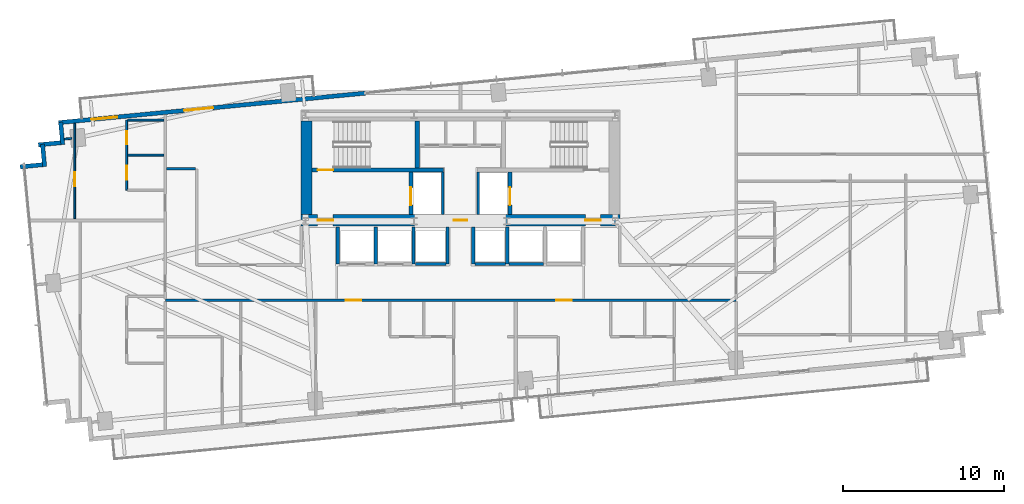
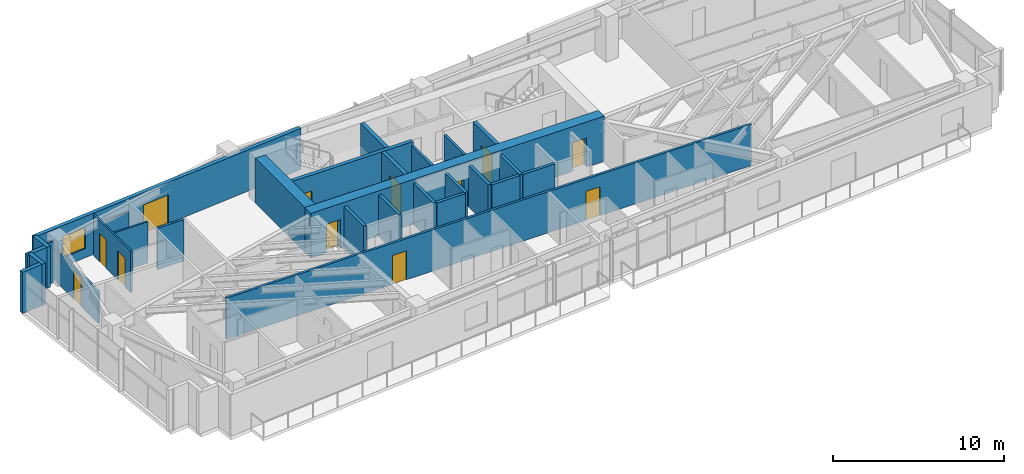
# One storey, part 22 of 27: 29 walls, 12 doors, 1 window, 13 openings.
"""IFC4 building model written with IfcOpenShell, lengths in metres."""

from ifc_helpers import new_model, si_unit, direction, frame, frame_2d, origin, place, context, subcontext, project, spatial, rectangle, extrude, source, transform, mapped, material, layer, layer_set, type_object, type_shapes, element, fill, save


model = new_model("IFC4")

# Units and contexts
model_context = context("Model", 3, precision=1e-05, world=origin(), true_north=direction((0.0, 1.0)))
body_context = subcontext(model_context, "Body", "Model", "MODEL_VIEW")
ifc_project = project(units=[si_unit("LENGTHUNIT", "METRE"), si_unit("AREAUNIT", "SQUARE_METRE"), si_unit("VOLUMEUNIT", "CUBIC_METRE"), si_unit("PLANEANGLEUNIT", "RADIAN"), si_unit("MASSUNIT", "GRAM", prefix="KILO")], contexts=[model_context])

# Site, building, storey
site_placement = place(None, origin())
site = spatial("IfcSite", under=ifc_project, at=site_placement, CompositionType="ELEMENT")
building_placement = place(site_placement, origin())
building = spatial("IfcBuilding", under=site, at=building_placement, Name="Astriad Promenade Condominiums", CompositionType="ELEMENT")
storey_placement = place(building_placement, frame((0.0, 0.0, 84.199951171875)))
storey = spatial("IfcBuildingStorey", under=building, at=storey_placement, Name="L23", CompositionType="ELEMENT", Elevation=84.199951171875)

# Wall, openings, doors
ifc_material_1 = material(Name="Concrete C60/75", Category="concrete")
ifc_layer_1 = layer(ifc_material_1, 0.699951171875)
ifc_layer_set_1 = layer_set([ifc_layer_1], Name="Concrete C60/75")
wall_type_1 = type_object("IfcWallType", Name="CW-SHEAR-700", PredefinedType="SHEAR", material=ifc_layer_set_1)
wall_1_placement = place(storey_placement, frame((26.10009765625, 17.449951171875, 0.0), z_axis=(0.0, 0.0, 1.0), x_axis=(1.0, 0.0, 0.0)))
wall_1 = element("IfcWall", 1, at=wall_1_placement, inside=storey, type_object=wall_type_1, Name="CW-CORE-S-L23", PredefinedType="SHEAR", context=body_context, shape_type="SweptSolid", body=[
    extrude(rectangle(XDim=19.7998046875, YDim=0.699951171875, at=frame_2d((9.89990234375, 0.0))), origin(), (0.0, 0.0, 1.0), 3.199951171875),
])
opening_1_placement = place(wall_1_placement, frame((1.050048828125, 0.0, 0.0)))
opening_1 = element("IfcOpeningElement", 2, at=opening_1_placement, cuts=wall_1, Name="Opening FD90-ST-095", PredefinedType="OPENING", context=body_context, shape_type="SweptSolid", body=[
    extrude(rectangle(XDim=0.949951171875, YDim=2.06005859375, at=frame_2d((0.47509765625, 1.030029296875))), frame((0.0, 0.35986328125, 0.0), z_axis=(0.0, -1.0, 0.0), x_axis=(1.0, 0.0, 0.0)), (0.0, 0.0, 1.0), 0.719970703125),
])
opening_2_placement = place(wall_1_placement, frame((9.47998046875, 0.0, 0.0)))
opening_2 = element("IfcOpeningElement", 3, at=opening_2_placement, cuts=wall_1, Name="Opening FD60-ULOW-085", PredefinedType="OPENING", context=body_context, shape_type="SweptSolid", body=[
    extrude(rectangle(XDim=0.85009765625, YDim=2.0, at=frame_2d((0.425048828125, 1.0))), frame((0.0, 0.35986328125, 0.0), z_axis=(0.0, -1.0, 0.0), x_axis=(1.0, 0.0, 0.0)), (0.0, 0.0, 1.0), 0.719970703125),
])
opening_3_placement = place(wall_1_placement, frame((17.64990234375, 0.0, 0.0)))
opening_3 = element("IfcOpeningElement", 4, at=opening_3_placement, cuts=wall_1, Name="Opening FD90-ST-095", PredefinedType="OPENING", context=body_context, shape_type="SweptSolid", body=[
    extrude(rectangle(XDim=0.949951171875, YDim=2.06005859375, at=frame_2d((0.47509765625, 1.030029296875))), frame((0.0, 0.35986328125, 0.0), z_axis=(0.0, -1.0, 0.0), x_axis=(1.0, 0.0, 0.0)), (0.0, 0.0, 1.0), 0.719970703125),
])
ifc_material_2 = material(Name="Fire-Rated Hollow Metal Stair Door")
door_type_1 = type_object("IfcDoorType", Name="FD90-ST-095", OperationType="NOTDEFINED", PredefinedType="DOOR", material=ifc_material_2)
shared_shape_1 = source(origin(), body_context, "Body", "SweptSolid", [
    extrude(rectangle(XDim=0.949951171875, YDim=2.06005859375, at=frame_2d((0.47509765625, 1.030029296875))), frame((0.0, 0.02490234375, 0.0), z_axis=(0.0, -1.0, 0.0), x_axis=(1.0, 0.0, 0.0)), (0.0, 0.0, 1.0), 0.050048828125),
])
type_shapes(door_type_1, [shared_shape_1])
door_1_placement = place(opening_1_placement, origin())
door_1 = element("IfcDoor", 5, at=door_1_placement, inside=storey, type_object=door_type_1, Name="D-FFW-L23", OperationType="SINGLE_SWING_LEFT", OverallHeight=2.06005859375, OverallWidth=0.949951171875, PredefinedType="DOOR", context=body_context, shape_type="MappedRepresentation", body=[
    mapped(shared_shape_1, transform((0.0, 0.0, 0.0), scale=1.0)),
])
fill(opening_1, door_1)
door_2_placement = place(opening_3_placement, origin())
door_2 = element("IfcDoor", 6, at=door_2_placement, inside=storey, type_object=door_type_1, Name="D-FFE-L23", OperationType="SINGLE_SWING_RIGHT", OverallHeight=2.06005859375, OverallWidth=0.949951171875, PredefinedType="DOOR", context=body_context, shape_type="MappedRepresentation", body=[
    mapped(shared_shape_1, transform((0.0, 0.0, 0.0), scale=1.0)),
])
fill(opening_3, door_2)
ifc_material_3 = material(Name="Solid-Core Low-Headroom Fire Door")
door_type_2 = type_object("IfcDoorType", Name="FD60-ULOW-085", OperationType="NOTDEFINED", PredefinedType="DOOR", material=ifc_material_3)
shared_shape_2 = source(origin(), body_context, "Body", "SweptSolid", [
    extrude(rectangle(XDim=0.85009765625, YDim=2.0, at=frame_2d((0.425048828125, 1.0))), frame((0.0, 0.02490234375, 0.0), z_axis=(0.0, -1.0, 0.0), x_axis=(1.0, 0.0, 0.0)), (0.0, 0.0, 1.0), 0.050048828125),
])
type_shapes(door_type_2, [shared_shape_2])
door_3_placement = place(opening_2_placement, origin())
door_3 = element("IfcDoor", 7, at=door_3_placement, inside=storey, type_object=door_type_2, Name="D-CSL-L23", OperationType="SINGLE_SWING_RIGHT", OverallHeight=2.0, OverallWidth=0.85009765625, PredefinedType="DOOR", context=body_context, shape_type="MappedRepresentation", body=[
    mapped(shared_shape_2, transform((0.0, 0.0, 0.0), scale=1.0)),
])
fill(opening_2, door_3)

# Wall
wall_2_placement = place(storey_placement, frame((26.449951171875, 17.802001953125, 0.0), z_axis=(0.0, 0.0, 1.0), x_axis=(0.0, 1.0, 0.0)))
element("IfcWall", 8, at=wall_2_placement, inside=storey, type_object=wall_type_1, Name="CW-CORE-W-L23", PredefinedType="SHEAR", context=body_context, shape_type="SweptSolid", body=[
    extrude(rectangle(XDim=5.7958984375, YDim=0.699951171875, at=frame_2d((2.89794921875, 0.0))), origin(), (0.0, 0.0, 1.0), 3.199951171875),
])

# Wall, opening, door
ifc_material_4 = material(Name="Concrete C50/60", Category="concrete")
ifc_layer_2 = layer(ifc_material_4, 0.25)
ifc_layer_set_2 = layer_set([ifc_layer_2], Name="Concrete C50/60")
wall_type_2 = type_object("IfcWallType", Name="WALL-CORE-INT-250", PredefinedType="SOLIDWALL", material=ifc_layer_set_2)
wall_3_placement = place(storey_placement, frame((26.802001953125, 20.574951171875, 0.0), z_axis=(0.0, 0.0, 1.0), x_axis=(1.0, 0.0, 0.0)))
wall_3 = element("IfcWall", 9, at=wall_3_placement, inside=storey, type_object=wall_type_2, Name="CW-INT-H1-L23", PredefinedType="SOLIDWALL", context=body_context, shape_type="SweptSolid", body=[
    extrude(rectangle(XDim=8.14794921875, YDim=0.25, at=frame_2d((4.073974609375, 0.0))), origin(), (0.0, 0.0, 1.0), 3.199951171875),
])
opening_4_placement = place(wall_3_placement, frame((0.347900390625, 0.0, 0.0)))
opening_4 = element("IfcOpeningElement", 10, at=opening_4_placement, cuts=wall_3, Name="Opening FD90-ST-095", PredefinedType="OPENING", context=body_context, shape_type="SweptSolid", body=[
    extrude(rectangle(XDim=0.949951171875, YDim=2.06005859375, at=frame_2d((0.47509765625, 1.030029296875))), frame((0.0, 0.135009765625, 0.0), z_axis=(0.0, -1.0, 0.0), x_axis=(1.0, 0.0, 0.0)), (0.0, 0.0, 1.0), 0.27001953125),
])
door_4_placement = place(opening_4_placement, origin())
door_4 = element("IfcDoor", 11, at=door_4_placement, inside=storey, type_object=door_type_1, Name="D-ST1-L23", OperationType="SINGLE_SWING_LEFT", OverallHeight=2.06005859375, OverallWidth=0.949951171875, PredefinedType="DOOR", context=body_context, shape_type="MappedRepresentation", body=[
    mapped(shared_shape_1, transform((0.0, 0.0, 0.0), scale=1.0)),
])
fill(opening_4, door_4)

# Wall
wall_4_placement = place(storey_placement, frame((33.324951171875, 20.701904296875, 0.0), z_axis=(0.0, 0.0, 1.0), x_axis=(0.0, 1.0, 0.0)))
element("IfcWall", 12, at=wall_4_placement, inside=storey, type_object=wall_type_2, Name="CW-ST1-E-L23", PredefinedType="SOLIDWALL", context=body_context, shape_type="SweptSolid", body=[
    extrude(rectangle(XDim=2.89599609375, YDim=0.25, at=frame_2d((1.447998046875, 0.0))), origin(), (0.0, 0.0, 1.0), 3.199951171875),
])

# Wall, opening, door
wall_5_placement = place(storey_placement, frame((32.925048828125, 17.802001953125, 0.0), z_axis=(0.0, 0.0, 1.0), x_axis=(0.0, 1.0, 0.0)))
wall_5 = element("IfcWall", 13, at=wall_5_placement, inside=storey, type_object=wall_type_2, Name="CW-FFL1-W-L23", PredefinedType="SOLIDWALL", context=body_context, shape_type="SweptSolid", body=[
    extrude(rectangle(XDim=2.64599609375, YDim=0.25, at=frame_2d((1.322998046875, 0.0))), origin(), (0.0, 0.0, 1.0), 3.199951171875),
])
opening_5_placement = place(wall_5_placement, frame((0.597900390625, 0.0, 0.0)))
opening_5 = element("IfcOpeningElement", 14, at=opening_5_placement, cuts=wall_5, Name="Opening LD-FFL-1122", PredefinedType="OPENING", context=body_context, shape_type="SweptSolid", body=[
    extrude(rectangle(XDim=1.10009765625, YDim=2.080078125, at=frame_2d((0.550048828125, 1.0400390625))), frame((0.0, 0.135009765625, 0.0), z_axis=(0.0, -1.0, 0.0), x_axis=(1.0, 0.0, 0.0)), (0.0, 0.0, 1.0), 0.27001953125),
])
ifc_material_5 = material(Name="Brushed Stainless Steel Fire Elevator Landing Door", Category="steel")
door_type_3 = type_object("IfcDoorType", Name="LD-FFL-1122", OperationType="NOTDEFINED", PredefinedType="DOOR", material=ifc_material_5)
shared_shape_3 = source(origin(), body_context, "Body", "SweptSolid", [
    extrude(rectangle(XDim=1.10009765625, YDim=2.080078125, at=frame_2d((0.550048828125, 1.0400390625))), frame((0.0, 0.02490234375, 0.0), z_axis=(0.0, -1.0, 0.0), x_axis=(1.0, 0.0, 0.0)), (0.0, 0.0, 1.0), 0.050048828125),
])
type_shapes(door_type_3, [shared_shape_3])
door_5_placement = place(opening_5_placement, origin())
door_5 = element("IfcDoor", 15, at=door_5_placement, inside=storey, type_object=door_type_3, Name="Elevator Landing Door FFL-1 (L23)", OperationType="SLIDING_TO_LEFT", OverallHeight=2.080078125, OverallWidth=1.10009765625, PredefinedType="DOOR", context=body_context, shape_type="MappedRepresentation", body=[
    mapped(shared_shape_3, transform((0.0, 0.0, 0.0), scale=1.0)),
])
fill(opening_5, door_5)

wall_6_placement = place(storey_placement, frame((39.074951171875, 17.802001953125, 0.0), z_axis=(0.0, 0.0, 1.0), x_axis=(0.0, 1.0, 0.0)))
wall_6 = element("IfcWall", 16, at=wall_6_placement, inside=storey, type_object=wall_type_2, Name="CW-FFL2-E-L23", PredefinedType="SOLIDWALL", context=body_context, shape_type="SweptSolid", body=[
    extrude(rectangle(XDim=2.64599609375, YDim=0.25, at=frame_2d((1.322998046875, 0.0))), origin(), (0.0, 0.0, 1.0), 3.199951171875),
])
opening_6_placement = place(wall_6_placement, frame((0.597900390625, 0.0, 0.0)))
opening_6 = element("IfcOpeningElement", 17, at=opening_6_placement, cuts=wall_6, Name="Opening LD-FFL-1122", PredefinedType="OPENING", context=body_context, shape_type="SweptSolid", body=[
    extrude(rectangle(XDim=1.10009765625, YDim=2.080078125, at=frame_2d((0.550048828125, 1.0400390625))), frame((0.0, 0.135009765625, 0.0), z_axis=(0.0, -1.0, 0.0), x_axis=(1.0, 0.0, 0.0)), (0.0, 0.0, 1.0), 0.27001953125),
])
door_6_placement = place(opening_6_placement, origin())
door_6 = element("IfcDoor", 18, at=door_6_placement, inside=storey, type_object=door_type_3, Name="Elevator Landing Door FFL-2 (L23)", OperationType="SLIDING_TO_RIGHT", OverallHeight=2.080078125, OverallWidth=1.10009765625, PredefinedType="DOOR", context=body_context, shape_type="MappedRepresentation", body=[
    mapped(shared_shape_3, transform((0.0, 0.0, 0.0), scale=1.0)),
])
fill(opening_6, door_6)

# Walls
ifc_material_6 = material(Name="Fire-Rated Gypsum Partition")
ifc_layer_3 = layer(ifc_material_6, 0.159912109375)
ifc_layer_set_3 = layer_set([ifc_layer_3], Name="Fire-Rated Gypsum Partition")
wall_type_3 = type_object("IfcWallType", Name="WALL-CORR-160", PredefinedType="PARTITIONING", material=ifc_layer_set_3)
for number, where, z_axis, x_axis, name in (
    (19, (34.89990234375, 17.802001953125, 0.0), (0.0, 0.0, 1.0), (0.0, 1.0, 0.0), "CW-FFL1-E-L23"),
    (20, (37.10009765625, 17.802001953125, 0.0), (0.0, 0.0, 1.0), (0.0, 1.0, 0.0), "CW-FFL2-W-L23"),
):
    element("IfcWall", number, at=place(storey_placement, frame(where, z_axis=z_axis, x_axis=x_axis)), inside=storey, type_object=wall_type_3, Name=name, PredefinedType="PARTITIONING", context=body_context, shape_type="SweptSolid", body=[
        extrude(rectangle(XDim=2.64599609375, YDim=0.159912109375, at=frame_2d((1.322998046875, 0.0))), origin(), (0.0, 0.0, 1.0), 2.93994140625),
    ])

# Wall, openings, doors
wall_7_placement = place(storey_placement, frame((17.699951171875, 12.489990234375, 0.0), z_axis=(0.0, 0.0, 1.0), x_axis=(1.0, 0.0, 0.0)))
wall_7 = element("IfcWall", 21, at=wall_7_placement, inside=storey, type_object=wall_type_3, Name="PT-COR-S-L23", PredefinedType="PARTITIONING", context=body_context, shape_type="SweptSolid", body=[
    extrude(rectangle(XDim=35.400146484375, YDim=0.159912109375, at=frame_2d((17.7001953125, 0.0))), origin(), (0.0, 0.0, 1.0), 2.93994140625),
])
opening_7_placement = place(wall_7_placement, frame((11.18994140625, 0.0, 0.0)))
opening_7 = element("IfcOpeningElement", 22, at=opening_7_placement, cuts=wall_7, Name="Opening FD60-APT-095", PredefinedType="OPENING", context=body_context, shape_type="SweptSolid", body=[
    extrude(rectangle(XDim=0.949951171875, YDim=2.06005859375, at=frame_2d((0.47509765625, 1.030029296875))), frame((0.0, 0.08984375, 0.0), z_axis=(0.0, -1.0, 0.0), x_axis=(1.0, 0.0, 0.0)), (0.0, 0.0, 1.0), 0.179931640625),
])
opening_8_placement = place(wall_7_placement, frame((24.25, 0.0, 0.0)))
opening_8 = element("IfcOpeningElement", 23, at=opening_8_placement, cuts=wall_7, Name="Opening FD60-APT-095", PredefinedType="OPENING", context=body_context, shape_type="SweptSolid", body=[
    extrude(rectangle(XDim=0.949951171875, YDim=2.06005859375, at=frame_2d((0.47509765625, 1.030029296875))), frame((0.0, 0.08984375, 0.0), z_axis=(0.0, -1.0, 0.0), x_axis=(1.0, 0.0, 0.0)), (0.0, 0.0, 1.0), 0.179931640625),
])
ifc_material_7 = material(Name="Solid-Core Acoustic Timber Residence Entry Door", Category="wood")
door_type_4 = type_object("IfcDoorType", Name="FD60-APT-095", OperationType="NOTDEFINED", PredefinedType="DOOR", material=ifc_material_7)
shared_shape_4 = source(origin(), body_context, "Body", "SweptSolid", [
    extrude(rectangle(XDim=0.949951171875, YDim=2.06005859375, at=frame_2d((0.47509765625, 1.030029296875))), frame((0.0, 0.02490234375, 0.0), z_axis=(0.0, -1.0, 0.0), x_axis=(1.0, 0.0, 0.0)), (0.0, 0.0, 1.0), 0.050048828125),
])
type_shapes(door_type_4, [shared_shape_4])
door_7_placement = place(opening_7_placement, origin())
door_7 = element("IfcDoor", 24, at=door_7_placement, inside=storey, type_object=door_type_4, Name="D-ENT-L23-S1", OperationType="SINGLE_SWING_LEFT", OverallHeight=2.06005859375, OverallWidth=0.949951171875, PredefinedType="DOOR", context=body_context, shape_type="MappedRepresentation", body=[
    mapped(shared_shape_4, transform((0.0, 0.0, 0.0), scale=1.0)),
])
fill(opening_7, door_7)
door_8_placement = place(opening_8_placement, origin())
door_8 = element("IfcDoor", 25, at=door_8_placement, inside=storey, type_object=door_type_4, Name="D-ENT-L23-S2", OperationType="SINGLE_SWING_RIGHT", OverallHeight=2.06005859375, OverallWidth=0.949951171875, PredefinedType="DOOR", context=body_context, shape_type="MappedRepresentation", body=[
    mapped(shared_shape_4, transform((0.0, 0.0, 0.0), scale=1.0)),
])
fill(opening_8, door_8)

# Walls
wall_8_placement = place(storey_placement, frame((17.781982421875, 20.64990234375, 0.0), z_axis=(0.0, 0.0, 1.0), x_axis=(1.0, 0.0, 0.0)))
element("IfcWall", 26, at=wall_8_placement, inside=storey, type_object=wall_type_3, Name="PT-WALC-N-L23", PredefinedType="PARTITIONING", context=body_context, shape_type="SweptSolid", body=[
    extrude(rectangle(XDim=1.7861328125, YDim=0.159912109375, at=frame_2d((0.89306640625, 0.0))), origin(), (0.0, 0.0, 1.0), 2.93994140625),
])
ifc_material_8 = material(Name="Precast concrete C50/60", Category="concrete")
ifc_layer_4 = layer(ifc_material_8, 0.260009765625)
ifc_layer_set_4 = layer_set([ifc_layer_4], Name="Precast concrete C50/60")
wall_type_4 = type_object("IfcWallType", Name="WALL-EXT-TWR-260", PredefinedType="STANDARD", material=ifc_layer_set_4)
for number, where, z_axis, x_axis, name in (
    (27, (8.701416015625, 20.767333984375, 0.0), (0.0, 0.0, 1.0), (0.995391056452, 0.09589913835, 0.0), "W-SER-L23-04"),
    (28, (10.216796875, 20.78271484375, 0.0), (0.0, 0.0, 1.0), (-0.095725744959, 0.99540774648, 0.0), "W-SER-L23-05"),
):
    element("IfcWall", number, at=place(storey_placement, frame(where, z_axis=z_axis, x_axis=x_axis)), inside=storey, type_object=wall_type_4, Name=name, PredefinedType="STANDARD", context=body_context, shape_type="SweptSolid", body=[
        extrude(rectangle(XDim=1.39501953125, YDim=0.260009765625, at=frame_2d((0.697509765625, 0.0))), origin(), (0.0, 0.0, 1.0), 2.93994140625),
    ])
wall_9_placement = place(storey_placement, frame((9.825927734375, 22.13134765625, 0.0), z_axis=(0.0, 0.0, 1.0), x_axis=(0.995389446633, 0.095915846097, 0.0)))
element("IfcWall", 29, at=wall_9_placement, inside=storey, type_object=wall_type_4, Name="W-SER-L23-06", PredefinedType="STANDARD", context=body_context, shape_type="SweptSolid", body=[
    extrude(rectangle(XDim=1.394775390625, YDim=0.260009765625, at=frame_2d((0.697265625, 0.0))), origin(), (0.0, 0.0, 1.0), 2.93994140625),
])
wall_10_placement = place(storey_placement, frame((11.34130859375, 22.146728515625, 0.0), z_axis=(0.0, 0.0, 1.0), x_axis=(-0.09589913835, 0.995391056452, 0.0)))
element("IfcWall", 30, at=wall_10_placement, inside=storey, type_object=wall_type_4, Name="W-SER-L23-07", PredefinedType="STANDARD", context=body_context, shape_type="SweptSolid", body=[
    extrude(rectangle(XDim=1.39501953125, YDim=0.260009765625, at=frame_2d((0.697509765625, 0.0))), origin(), (0.0, 0.0, 1.0), 2.93994140625),
])

# Wall, openings, door, window
wall_11_placement = place(storey_placement, frame((11.07958984375, 23.508056640625, 0.0), z_axis=(0.0, 0.0, 1.0), x_axis=(0.995396638587, 0.095841180552, 0.0)))
wall_11 = element("IfcWall", 31, at=wall_11_placement, inside=storey, type_object=wall_type_4, Name="W-EXT-L23-N1", PredefinedType="STANDARD", context=body_context, shape_type="SweptSolid", body=[
    extrude(rectangle(XDim=19.110107421875, YDim=0.260009765625, at=frame_2d((9.55517578125, 0.0))), origin(), (0.0, 0.0, 1.0), 2.93994140625),
])
opening_9_placement = place(wall_11_placement, frame((7.823974609375, 0.0, 0.0)))
opening_9 = element("IfcOpeningElement", 32, at=opening_9_placement, cuts=wall_11, Name="Opening BD-1822-SLD", PredefinedType="OPENING", context=body_context, shape_type="SweptSolid", body=[
    extrude(rectangle(XDim=1.800048828125, YDim=2.06005859375, at=frame_2d((0.89990234375, 1.030029296875))), frame((0.0, 0.139892578125, 0.0), z_axis=(0.0, -1.0, 0.0), x_axis=(1.0, 0.0, 0.0)), (0.0, 0.0, 1.0), 0.280029296875),
])
opening_10_placement = place(wall_11_placement, frame((2.050048828125, 0.0, 0.64990234375)))
opening_10 = element("IfcOpeningElement", 33, at=opening_10_placement, cuts=wall_11, Name="Opening WIN-TWR-1620", PredefinedType="OPENING", context=body_context, shape_type="SweptSolid", body=[
    extrude(rectangle(XDim=1.60009765625, YDim=1.5, at=frame_2d((0.800048828125, 0.75))), frame((0.0, 0.139892578125, 0.0), z_axis=(0.0, -1.0, 0.0), x_axis=(1.0, 0.0, 0.0)), (0.0, 0.0, 1.0), 0.280029296875),
])
ifc_material_9 = material(Name="Thermally Broken Aluminium Sliding Balcony Door", Category="aluminium")
door_type_5 = type_object("IfcDoorType", Name="BD-1822-SLD", OperationType="NOTDEFINED", PredefinedType="DOOR", material=ifc_material_9)
shared_shape_5 = source(origin(), body_context, "Body", "SweptSolid", [
    extrude(rectangle(XDim=1.800048828125, YDim=2.06005859375, at=frame_2d((0.89990234375, 1.030029296875))), frame((0.0, 0.02490234375, 0.0), z_axis=(0.0, -1.0, 0.0), x_axis=(1.0, 0.0, 0.0)), (0.0, 0.0, 1.0), 0.050048828125),
])
type_shapes(door_type_5, [shared_shape_5])
door_9_placement = place(opening_9_placement, origin())
door_9 = element("IfcDoor", 34, at=door_9_placement, inside=storey, type_object=door_type_5, Name="BD-L23-NW", OperationType="SLIDING_TO_LEFT", OverallHeight=2.06005859375, OverallWidth=1.800048828125, PredefinedType="DOOR", context=body_context, shape_type="MappedRepresentation", body=[
    mapped(shared_shape_5, transform((0.0, 0.0, 0.0), scale=1.0)),
])
fill(opening_9, door_9)
ifc_material_10 = material(Name="Dark Tinted Triple-Glazed Aluminium Window", Category="aluminium")
window_type = type_object("IfcWindowType", Name="WIN-TWR-1620", PartitioningType="SINGLE_PANEL", PredefinedType="WINDOW", material=ifc_material_10)
shared_shape_6 = source(origin(), body_context, "Body", "SweptSolid", [
    extrude(rectangle(XDim=1.60009765625, YDim=1.5, at=frame_2d((0.800048828125, 0.75))), frame((0.0, 0.030029296875, 0.0), z_axis=(0.0, -1.0, 0.0), x_axis=(1.0, 0.0, 0.0)), (0.0, 0.0, 1.0), 0.06005859375),
])
type_shapes(window_type, [shared_shape_6])
window_placement = place(opening_10_placement, origin())
window = element("IfcWindow", 35, at=window_placement, inside=storey, type_object=window_type, Name="WIN-L23-NW", OverallHeight=1.5, OverallWidth=1.60009765625, PartitioningType="SINGLE_PANEL", PredefinedType="WINDOW", context=body_context, shape_type="MappedRepresentation", body=[
    mapped(shared_shape_6, transform((0.0, 0.0, 0.0), scale=1.0)),
])
fill(opening_10, window)

# Wall, openings, doors
ifc_material_11 = material(Name="Acoustic Metal-Stud Gypsum Partition")
ifc_layer_5 = layer(ifc_material_11, 0.1201171875)
ifc_layer_set_5 = layer_set([ifc_layer_5], Name="Acoustic Metal-Stud Gypsum Partition")
wall_type_5 = type_object("IfcWallType", Name="WALL-PART-120", PredefinedType="PARTITIONING", material=ifc_layer_set_5)
wall_12_placement = place(storey_placement, frame((15.300048828125, 19.320068359375, 0.0), z_axis=(0.0, 0.0, 1.0), x_axis=(0.0, 1.0, 0.0)))
wall_12 = element("IfcWall", 36, at=wall_12_placement, inside=storey, type_object=wall_type_5, Name="PT-L23-W2-PV", PredefinedType="PARTITIONING", context=body_context, shape_type="SweptSolid", body=[
    extrude(rectangle(XDim=4.349853515625, YDim=0.1201171875, at=frame_2d((2.1748046875, 0.0))), origin(), (0.0, 0.0, 1.0), 2.93994140625),
])
opening_11_placement = place(wall_12_placement, frame((0.662109375, 0.0, 0.0)))
opening_11 = element("IfcOpeningElement", 37, at=opening_11_placement, cuts=wall_12, Name="Opening D-INT-085", PredefinedType="OPENING", context=body_context, shape_type="SweptSolid", body=[
    extrude(rectangle(XDim=0.85009765625, YDim=2.050048828125, at=frame_2d((0.425048828125, 1.02490234375))), frame((0.0, 0.070068359375, 0.0), z_axis=(0.0, -1.0, 0.0), x_axis=(1.0, 0.0, 0.0)), (0.0, 0.0, 1.0), 0.14013671875),
])
opening_12_placement = place(wall_12_placement, frame((2.863037109375, 0.0, 0.0)))
opening_12 = element("IfcOpeningElement", 38, at=opening_12_placement, cuts=wall_12, Name="Opening D-WET-080", PredefinedType="OPENING", context=body_context, shape_type="SweptSolid", body=[
    extrude(rectangle(XDim=0.800048828125, YDim=2.02001953125, at=frame_2d((0.39990234375, 1.010009765625))), frame((0.0, 0.070068359375, 0.0), z_axis=(0.0, -1.0, 0.0), x_axis=(1.0, 0.0, 0.0)), (0.0, 0.0, 1.0), 0.14013671875),
])
ifc_material_12 = material(Name="Moisture-Resistant Timber Bathroom Door", Category="wood")
door_type_6 = type_object("IfcDoorType", Name="D-WET-080", OperationType="NOTDEFINED", PredefinedType="DOOR", material=ifc_material_12)
shared_shape_7 = source(origin(), body_context, "Body", "SweptSolid", [
    extrude(rectangle(XDim=0.800048828125, YDim=2.02001953125, at=frame_2d((0.39990234375, 1.010009765625))), frame((0.0, 0.02490234375, 0.0), z_axis=(0.0, -1.0, 0.0), x_axis=(1.0, 0.0, 0.0)), (0.0, 0.0, 1.0), 0.050048828125),
])
type_shapes(door_type_6, [shared_shape_7])
door_10_placement = place(opening_12_placement, origin())
door_10 = element("IfcDoor", 39, at=door_10_placement, inside=storey, type_object=door_type_6, Name="D-BTH-L23-W2", OperationType="SINGLE_SWING_RIGHT", OverallHeight=2.02001953125, OverallWidth=0.800048828125, PredefinedType="DOOR", context=body_context, shape_type="MappedRepresentation", body=[
    mapped(shared_shape_7, transform((0.0, 0.0, 0.0), scale=1.0)),
])
fill(opening_12, door_10)
ifc_material_13 = material(Name="Painted Solid-Core Timber Room Door", Category="wood")
door_type_7 = type_object("IfcDoorType", Name="D-INT-085", OperationType="NOTDEFINED", PredefinedType="DOOR", material=ifc_material_13)
shared_shape_8 = source(origin(), body_context, "Body", "SweptSolid", [
    extrude(rectangle(XDim=0.85009765625, YDim=2.050048828125, at=frame_2d((0.425048828125, 1.02490234375))), frame((0.0, 0.02490234375, 0.0), z_axis=(0.0, -1.0, 0.0), x_axis=(1.0, 0.0, 0.0)), (0.0, 0.0, 1.0), 0.050048828125),
])
type_shapes(door_type_7, [shared_shape_8])
door_11_placement = place(opening_11_placement, origin())
door_11 = element("IfcDoor", 40, at=door_11_placement, inside=storey, type_object=door_type_7, Name="D-KIT-L23-W2", OperationType="SINGLE_SWING_LEFT", OverallHeight=2.050048828125, OverallWidth=0.85009765625, PredefinedType="DOOR", context=body_context, shape_type="MappedRepresentation", body=[
    mapped(shared_shape_8, transform((0.0, 0.0, 0.0), scale=1.0)),
])
fill(opening_11, door_11)

# Walls
wall_13_placement = place(storey_placement, frame((15.362060546875, 21.4951171875, 0.0), z_axis=(0.0, 0.0, 1.0), x_axis=(1.0, 0.0, 0.0)))
element("IfcWall", 41, at=wall_13_placement, inside=storey, type_object=wall_type_5, Name="PT-L23-W2-PM", PredefinedType="PARTITIONING", context=body_context, shape_type="SweptSolid", body=[
    extrude(rectangle(XDim=2.255859375, YDim=0.1201171875, at=frame_2d((1.1279296875, 0.0))), origin(), (0.0, 0.0, 1.0), 2.93994140625),
])
wall_14_placement = place(storey_placement, frame((15.362060546875, 23.669921875, 0.0), z_axis=(0.0, 0.0, 1.0), x_axis=(1.0, 0.0, 0.0)))
element("IfcWall", 42, at=wall_14_placement, inside=storey, type_object=wall_type_5, Name="PT-L23-W2-PN", PredefinedType="PARTITIONING", context=body_context, shape_type="SweptSolid", body=[
    extrude(rectangle(XDim=2.255859375, YDim=0.1201171875, at=frame_2d((1.1279296875, 0.0))), origin(), (0.0, 0.0, 1.0), 2.31005859375),
])

# Wall, opening, door
wall_15_placement = place(storey_placement, frame((12.083984375, 17.552001953125, 0.0), z_axis=(0.0, 0.0, 1.0), x_axis=(0.0, 1.0, 0.0)))
wall_15 = element("IfcWall", 43, at=wall_15_placement, inside=storey, type_object=wall_type_5, Name="PT-L23-W2-B1", PredefinedType="PARTITIONING", context=body_context, shape_type="SweptSolid", body=[
    extrude(rectangle(XDim=5.920166015625, YDim=0.1201171875, at=frame_2d((2.9599609375, 0.0))), origin(), (0.0, 0.0, 1.0), 2.31005859375),
])
opening_13_placement = place(wall_15_placement, frame((2.02197265625, 0.0, 0.0)))
opening_13 = element("IfcOpeningElement", 44, at=opening_13_placement, cuts=wall_15, Name="Opening D-INT-085", PredefinedType="OPENING", context=body_context, shape_type="SweptSolid", body=[
    extrude(rectangle(XDim=0.85009765625, YDim=2.050048828125, at=frame_2d((0.425048828125, 1.02490234375))), frame((0.0, 0.070068359375, 0.0), z_axis=(0.0, -1.0, 0.0), x_axis=(1.0, 0.0, 0.0)), (0.0, 0.0, 1.0), 0.14013671875),
])
door_12_placement = place(opening_13_placement, origin())
door_12 = element("IfcDoor", 45, at=door_12_placement, inside=storey, type_object=door_type_7, Name="D-BD1-L23-W2", OperationType="SINGLE_SWING_LEFT", OverallHeight=2.050048828125, OverallWidth=0.85009765625, PredefinedType="DOOR", context=body_context, shape_type="MappedRepresentation", body=[
    mapped(shared_shape_8, transform((0.0, 0.0, 0.0), scale=1.0)),
])
fill(opening_13, door_12)

# Walls
wall_16_placement = place(storey_placement, frame((11.89697265625, 22.53173828125, 0.0), z_axis=(0.0, 0.0, 1.0), x_axis=(-0.995384576284, -0.09596637586, 0.0)))
element("IfcWall", 46, at=wall_16_placement, inside=storey, type_object=wall_type_5, Name="PT-PIL-L23-PC06-13", PredefinedType="PARTITIONING", context=body_context, shape_type="SweptSolid", body=[
    extrude(rectangle(XDim=0.4580078125, YDim=0.1201171875, at=frame_2d((0.22900390625, 0.0))), origin(), (0.0, 0.0, 1.0), 2.93994140625),
])
ifc_material_14 = material(Name="Gypsum Shaftliner Assembly")
ifc_layer_6 = layer(ifc_material_14, 0.199951171875)
ifc_layer_set_6 = layer_set([ifc_layer_6], Name="Gypsum Shaftliner Assembly")
wall_type_6 = type_object("IfcWallType", Name="WALL-SHAFT-200", PredefinedType="PARTITIONING", material=ifc_layer_set_6)
for number, where, z_axis, x_axis, name in (
    (47, (28.39990234375, 14.75, 0.0), (0.0, 0.0, 1.0), (0.0, 1.0, 0.0), "PL-W-OUT-L23"),
    (48, (30.75, 14.75, 0.0), (0.0, 0.0, 1.0), (0.0, 1.0, 0.0), "PL-L-DIV-L23"),
    (49, (33.10009765625, 14.75, 0.0), (0.0, 0.0, 1.0), (0.0, 1.0, 0.0), "PL-LM-DIV-L23"),
    (50, (35.199951171875, 14.75, 0.0), (0.0, 0.0, 1.0), (0.0, 1.0, 0.0), "PL-M1-E-L23"),
):
    element("IfcWall", number, at=place(storey_placement, frame(where, z_axis=z_axis, x_axis=x_axis)), inside=storey, type_object=wall_type_6, Name=name, PredefinedType="PARTITIONING", context=body_context, shape_type="SweptSolid", body=[
        extrude(rectangle(XDim=2.300048828125, YDim=0.199951171875, at=frame_2d((1.14990234375, 0.0))), origin(), (0.0, 0.0, 1.0), 2.93994140625),
    ])
wall_17_placement = place(storey_placement, frame((33.201904296875, 14.75, 0.0), z_axis=(0.0, 0.0, 1.0), x_axis=(1.0, 0.0, 0.0)))
element("IfcWall", 51, at=wall_17_placement, inside=storey, type_object=wall_type_6, Name="PL-M1-F-L23", PredefinedType="PARTITIONING", context=body_context, shape_type="SweptSolid", body=[
    extrude(rectangle(XDim=1.89599609375, YDim=0.199951171875, at=frame_2d((0.947998046875, 0.0))), origin(), (0.0, 0.0, 1.0), 2.93994140625),
])
for number, where, z_axis, x_axis, name in (
    (52, (36.800048828125, 14.75, 0.0), (0.0, 0.0, 1.0), (0.0, 1.0, 0.0), "PL-M2-W-L23"),
    (53, (38.89990234375, 14.75, 0.0), (0.0, 0.0, 1.0), (0.0, 1.0, 0.0), "PL-MH-DIV-L23"),
):
    element("IfcWall", number, at=place(storey_placement, frame(where, z_axis=z_axis, x_axis=x_axis)), inside=storey, type_object=wall_type_6, Name=name, PredefinedType="PARTITIONING", context=body_context, shape_type="SweptSolid", body=[
        extrude(rectangle(XDim=2.300048828125, YDim=0.199951171875, at=frame_2d((1.14990234375, 0.0))), origin(), (0.0, 0.0, 1.0), 2.93994140625),
    ])
wall_18_placement = place(storey_placement, frame((36.902099609375, 14.75, 0.0), z_axis=(0.0, 0.0, 1.0), x_axis=(1.0, 0.0, 0.0)))
element("IfcWall", 54, at=wall_18_placement, inside=storey, type_object=wall_type_6, Name="PL-M2-F-L23", PredefinedType="PARTITIONING", context=body_context, shape_type="SweptSolid", body=[
    extrude(rectangle(XDim=1.89599609375, YDim=0.199951171875, at=frame_2d((0.947998046875, 0.0))), origin(), (0.0, 0.0, 1.0), 2.93994140625),
])
wall_19_placement = place(storey_placement, frame((39.001953125, 14.75, 0.0), z_axis=(0.0, 0.0, 1.0), x_axis=(1.0, 0.0, 0.0)))
element("IfcWall", 55, at=wall_19_placement, inside=storey, type_object=wall_type_6, Name="PL-H-FRT-L23", PredefinedType="PARTITIONING", context=body_context, shape_type="SweptSolid", body=[
    extrude(rectangle(XDim=2.14599609375, YDim=0.199951171875, at=frame_2d((1.072998046875, 0.0))), origin(), (0.0, 0.0, 1.0), 2.93994140625),
])

save(model, "model.ifc")
